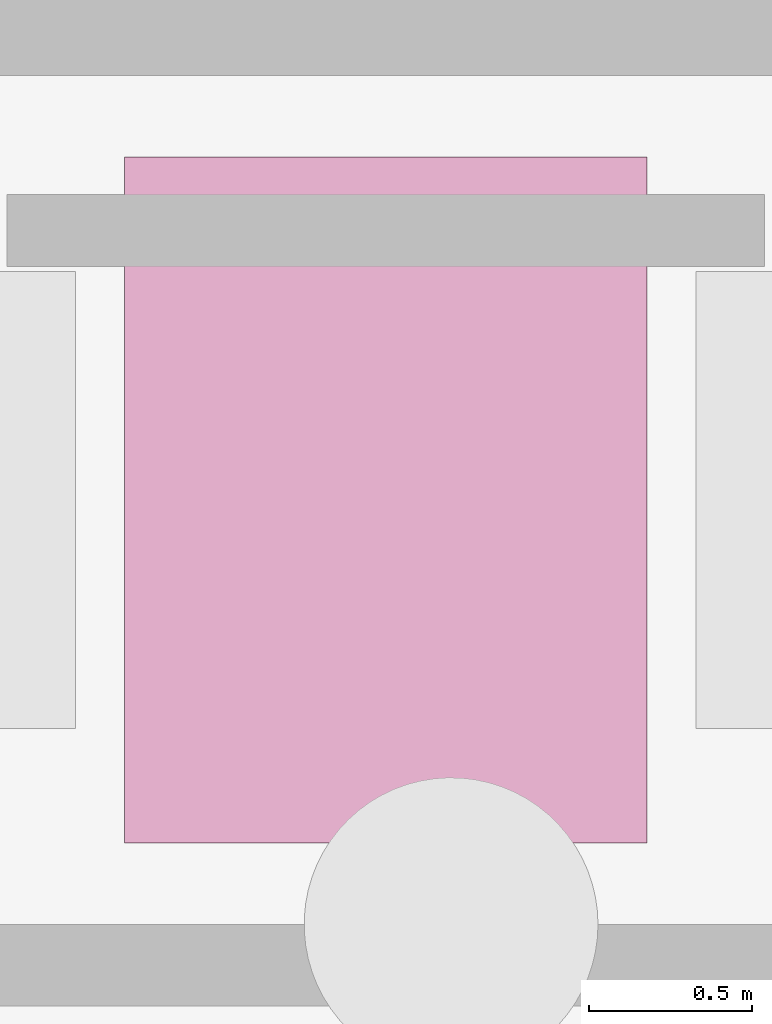
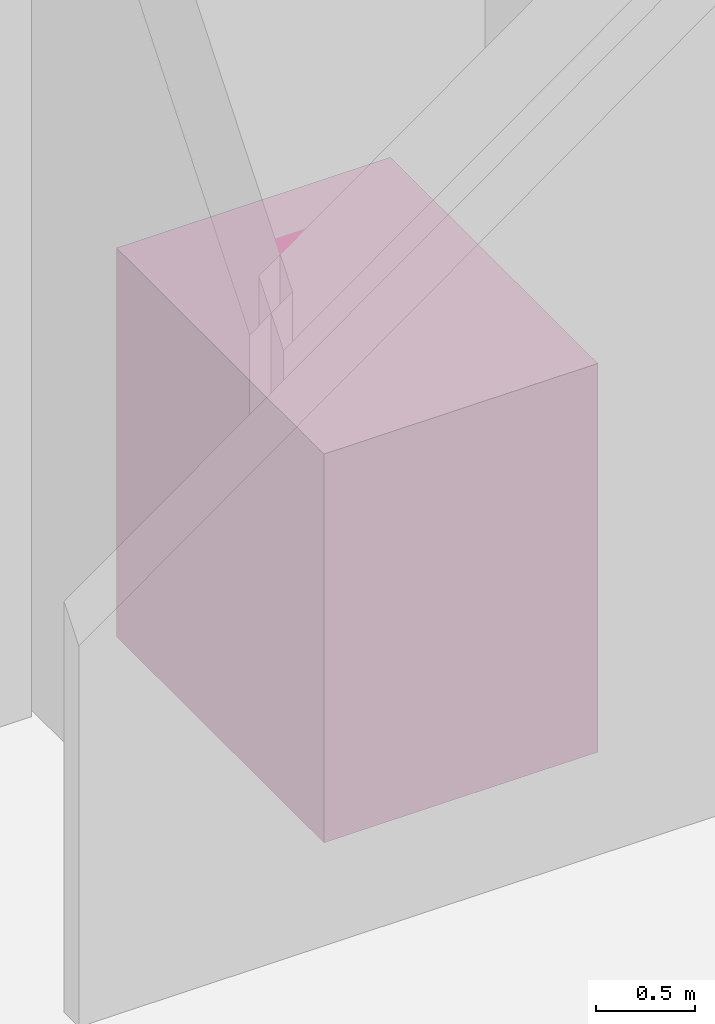
# One storey, part 137 of 137: 1 transport element.
"""IFC4 building model written with IfcOpenShell, lengths in metres."""

from ifc_helpers import new_model, si_unit, direction, frame, origin, origin_2d, place, context, subcontext, project, spatial, rectangle, extrude, material, type_object, element, save


model = new_model("IFC4")

# Units and contexts
model_context = context("Model", 3, precision=1e-05, world=origin(), true_north=direction((0.0, 1.0)))
body_context = subcontext(model_context, "Body", "Model", "MODEL_VIEW")
ifc_project = project(units=[si_unit("LENGTHUNIT", "METRE"), si_unit("AREAUNIT", "SQUARE_METRE"), si_unit("VOLUMEUNIT", "CUBIC_METRE"), si_unit("PLANEANGLEUNIT", "RADIAN"), si_unit("MASSUNIT", "GRAM", prefix="KILO")], contexts=[model_context])

# Site, building, storey
site_placement = place(None, origin())
site = spatial("IfcSite", under=ifc_project, at=site_placement, CompositionType="ELEMENT")
building_placement = place(site_placement, origin())
building = spatial("IfcBuilding", under=site, at=building_placement, Name="Vondelvale Polytechnic", CompositionType="ELEMENT")
storey_placement = place(building_placement, origin())
storey = spatial("IfcBuildingStorey", under=building, at=storey_placement, Name="L00", CompositionType="ELEMENT", Elevation=0.0)

# Transport element
ifc_material = material(Name="Brushed architectural stainless and zinc-coated metal")
transport_element_type = type_object("IfcTransportElementType", Name="LFT-PASS-1350", PredefinedType="ELEVATOR", material=ifc_material)
transport_element_placement = place(storey_placement, frame((156.39990234375, 76.5, 0.050048828125), z_axis=(0.0, 0.0, 1.0), x_axis=(1.0, 0.0, 0.0)))
element("IfcTransportElement", 1, at=transport_element_placement, inside=storey, type_object=transport_element_type, Name="Passenger Lift 04 (Cloister & East Pavilion)", PredefinedType="ELEVATOR", context=body_context, shape_type="SweptSolid", body=[
    extrude(rectangle(XDim=1.60009765625, YDim=2.10009765625, at=origin_2d()), origin(), (0.0, 0.0, 1.0), 2.39990234375),
])

save(model, "model.ifc")
